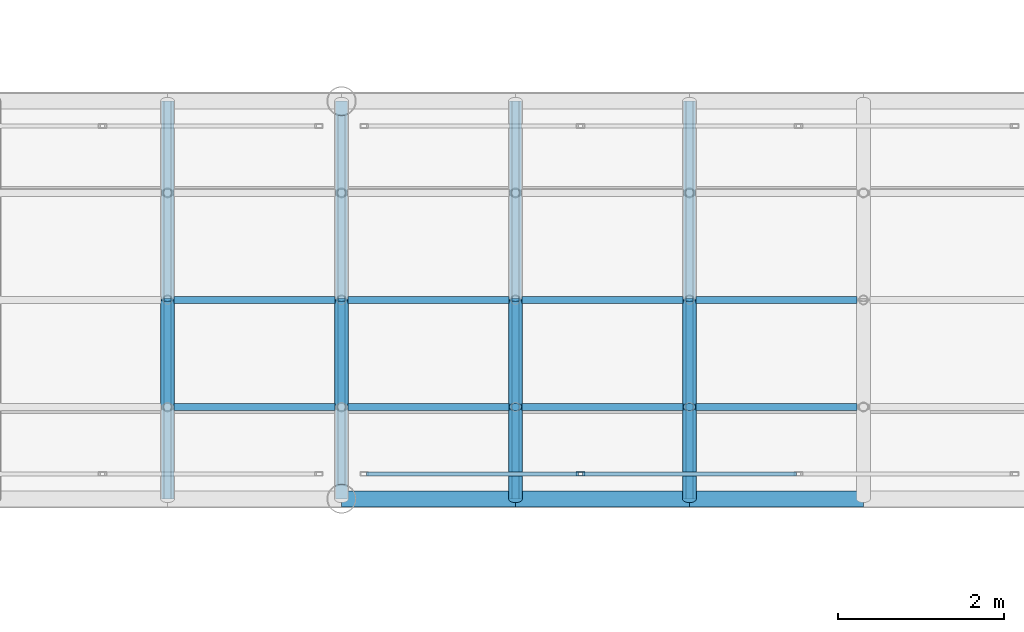
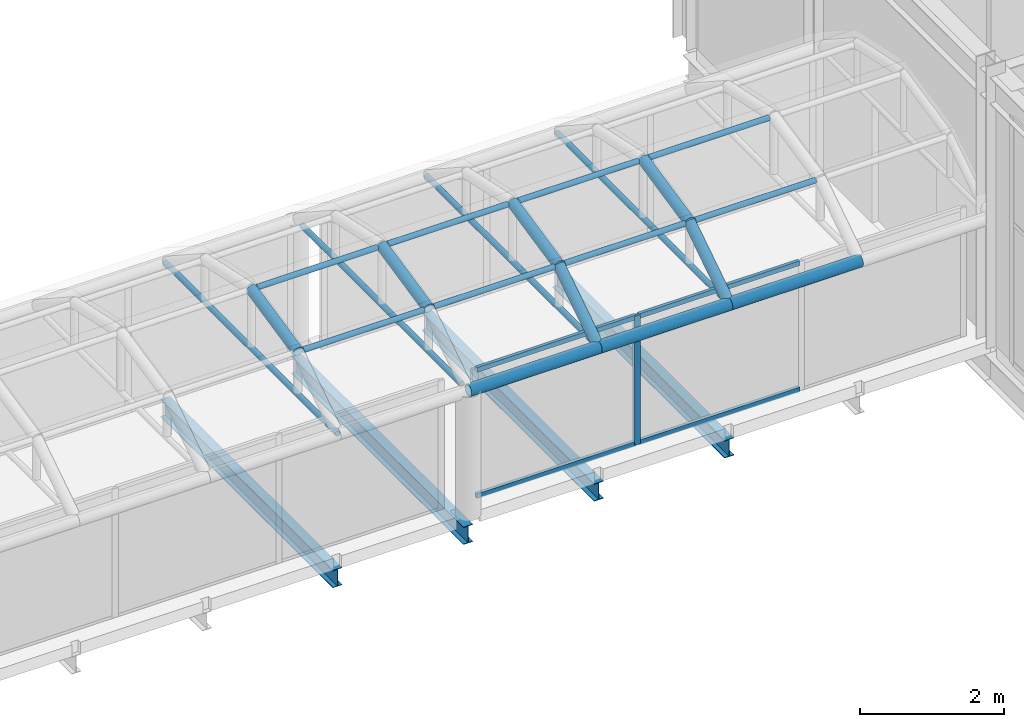
# One storey, part 40 of 167: 22 members, 8 beams, 1 element without a shape of its own.
"""IFC4 building model written with IfcOpenShell, lengths in metres."""

from ifc_helpers import new_model, si_unit, direction, frame, origin, origin_2d, place, context, subcontext, project, spatial, hollow_rectangle, hollow_circle, i_section, extrude, material, material_profile, profile_set, type_object, element, aggregate, save


model = new_model("IFC4")

# Units and contexts
model_context = context("Model", 3, precision=1e-05, world=origin(), true_north=direction((0.0, 1.0)))
body_context = subcontext(model_context, "Body", "Model", "MODEL_VIEW")
ifc_project = project(units=[si_unit("LENGTHUNIT", "METRE"), si_unit("AREAUNIT", "SQUARE_METRE"), si_unit("VOLUMEUNIT", "CUBIC_METRE"), si_unit("PLANEANGLEUNIT", "RADIAN"), si_unit("MASSUNIT", "GRAM", prefix="KILO")], contexts=[model_context])

# Site, building, storey
site_placement = place(None, origin())
site = spatial("IfcSite", under=ifc_project, at=site_placement, CompositionType="ELEMENT")
building_placement = place(site_placement, origin())
building = spatial("IfcBuilding", under=site, at=building_placement, Name="Catenary Quay Ferry Terminal", CompositionType="ELEMENT")
storey_placement = place(building_placement, frame((0.0, 0.0, 6.0)))
storey = spatial("IfcBuildingStorey", under=building, at=storey_placement, Name="L01", CompositionType="ELEMENT", Elevation=6.0)

# Beams
ifc_material_1 = material(Name="Steel S355", Category="steel")
ifc_material_profile_1 = material_profile(ifc_material_1, i_section(OverallWidth=0.14990234375, OverallDepth=0.300048828125, WebThickness=0.007080078125, FlangeThickness=0.0107421875, at=origin_2d()), Name="IPE 300")
ifc_profile_set_1 = profile_set([ifc_material_profile_1], Name="Steel S355")
beam_type_1 = type_object("IfcBeamType", Name="B2 IPE 300", PredefinedType="BEAM", material=ifc_profile_set_1)
for number, where, z_axis, x_axis, name in (
    (1, (115.5, 73.199951171875, -0.35009765625), (0.0, 1.0, 0.0), (-1.0, 0.0, 0.0), "Beam B2-011"),
    (2, (117.60009765625, 73.199951171875, -0.35009765625), (0.0, 1.0, 0.0), (-1.0, 0.0, 0.0), "Beam B2-012"),
    (3, (119.699951171875, 73.199951171875, -0.35009765625), (0.0, 1.0, 0.0), (-1.0, 0.0, 0.0), "Beam B2-013"),
    (4, (121.800048828125, 73.199951171875, -0.35009765625), (0.0, 1.0, 0.0), (-1.0, 0.0, 0.0), "Beam B2-014"),
):
    element("IfcBeam", number, at=place(storey_placement, frame(where, z_axis=z_axis, x_axis=x_axis)), inside=storey, type_object=beam_type_1, Name=name, PredefinedType="BEAM", context=body_context, shape_type="SweptSolid", body=[
        extrude(i_section(OverallWidth=0.14990234375, OverallDepth=0.300048828125, WebThickness=0.007080078125, FlangeThickness=0.0107421875, at=origin_2d()), origin(), (0.0, 0.0, 1.0), 4.800048828125),
    ])

# Curtain wall, member
ifc_material_2 = material(Name="Aluminium and glass", Category="aluminium")
curtain_wall_type = type_object("IfcCurtainWallType", Name="CWB", PredefinedType="NOTDEFINED", material=ifc_material_2)
curtain_wall_placement = place(storey_placement, origin())
curtain_wall = element("IfcCurtainWall", 5, at=curtain_wall_placement, inside=storey, type_object=curtain_wall_type, Name="BB1 curtain wall CW59", PredefinedType="NOTDEFINED")
ifc_material_3 = material(Name="Aluminium", Category="aluminium")
ifc_material_profile_2 = material_profile(ifc_material_3, hollow_rectangle(XDim=0.050048828125, YDim=0.10009765625, WallThickness=0.0048828125, at=origin_2d()), Name="MU1")
ifc_profile_set_2 = profile_set([ifc_material_profile_2], Name="Aluminium")
member_type_1 = type_object("IfcMemberType", Name="MU1", PredefinedType="MULLION", material=ifc_profile_set_2)
member_1_placement = place(storey_placement, frame((120.4833984375, 73.5, 0.0), z_axis=(0.0, 0.0, 1.0), x_axis=(0.0, 1.0, 0.0)))
member_1 = element("IfcMember", 6, at=member_1_placement, type_object=member_type_1, Name="CW59 mullion 2", PredefinedType="MULLION", context=body_context, shape_type="SweptSolid", body=[
    extrude(hollow_rectangle(XDim=0.050048828125, YDim=0.10009765625, WallThickness=0.0048828125, at=origin_2d()), origin(), (0.0, 0.0, 1.0), 2.195068359375),
])

# Members
ifc_material_4 = material(Name="Steel S355", Category="steel")
ifc_material_profile_3 = material_profile(ifc_material_4, hollow_circle(Radius=0.04443359375, WallThickness=0.0048828125, at=origin_2d()), Name="CHS 88.9x5")
ifc_profile_set_3 = profile_set([ifc_material_profile_3], Name="Steel S355")
member_type_2 = type_object("IfcMemberType", Name="PU3 CHS 88.9x5", PredefinedType="PURLIN", material=ifc_profile_set_3)
for number, where, z_axis, x_axis, name in (
    (7, (115.580078125, 74.30810546875, 2.821044921875), (1.0, 0.0, 0.0), (0.0, 1.0, 0.0), "Purlin PU-RB1-12-01"),
    (8, (115.580078125, 75.60009765625, 3.10009765625), (1.0, 0.0, 0.0), (0.0, 1.0, 0.0), "Purlin PU-RB1-12-02"),
):
    element("IfcMember", number, at=place(storey_placement, frame(where, z_axis=z_axis, x_axis=x_axis)), inside=storey, type_object=member_type_2, Name=name, PredefinedType="PURLIN", context=body_context, shape_type="SweptSolid", body=[
        extrude(hollow_circle(Radius=0.04443359375, WallThickness=0.0048828125, at=origin_2d()), origin(), (0.0, 0.0, 1.0), 1.93994140625),
    ])
for number, where, z_axis, x_axis, name in (
    (9, (117.679931640625, 74.30810546875, 2.821044921875), (1.0, 0.0, 0.0), (0.0, 1.0, 0.0), "Purlin PU-RB1-13-01"),
    (10, (117.679931640625, 75.60009765625, 3.10009765625), (1.0, 0.0, 0.0), (0.0, 1.0, 0.0), "Purlin PU-RB1-13-02"),
):
    element("IfcMember", number, at=place(storey_placement, frame(where, z_axis=z_axis, x_axis=x_axis)), inside=storey, type_object=member_type_2, Name=name, PredefinedType="PURLIN", context=body_context, shape_type="SweptSolid", body=[
        extrude(hollow_circle(Radius=0.04443359375, WallThickness=0.0048828125, at=origin_2d()), origin(), (0.0, 0.0, 1.0), 1.940185546875),
    ])
for number, where, z_axis, x_axis, name in (
    (11, (119.780029296875, 74.30810546875, 2.821044921875), (1.0, 0.0, 0.0), (0.0, 1.0, 0.0), "Purlin PU-RB1-14-01"),
    (12, (119.780029296875, 75.60009765625, 3.10009765625), (1.0, 0.0, 0.0), (0.0, 1.0, 0.0), "Purlin PU-RB1-14-02"),
):
    element("IfcMember", number, at=place(storey_placement, frame(where, z_axis=z_axis, x_axis=x_axis)), inside=storey, type_object=member_type_2, Name=name, PredefinedType="PURLIN", context=body_context, shape_type="SweptSolid", body=[
        extrude(hollow_circle(Radius=0.04443359375, WallThickness=0.0048828125, at=origin_2d()), origin(), (0.0, 0.0, 1.0), 1.93994140625),
    ])
for number, where, z_axis, x_axis, name in (
    (13, (121.8798828125, 74.30810546875, 2.821044921875), (1.0, 0.0, 0.0), (0.0, 1.0, 0.0), "Purlin PU-RB1-15-01"),
    (14, (121.8798828125, 75.60009765625, 3.10009765625), (1.0, 0.0, 0.0), (0.0, 1.0, 0.0), "Purlin PU-RB1-15-02"),
):
    element("IfcMember", number, at=place(storey_placement, frame(where, z_axis=z_axis, x_axis=x_axis)), inside=storey, type_object=member_type_2, Name=name, PredefinedType="PURLIN", context=body_context, shape_type="SweptSolid", body=[
        extrude(hollow_circle(Radius=0.04443359375, WallThickness=0.0048828125, at=origin_2d()), origin(), (0.0, 0.0, 1.0), 1.940185546875),
    ])

# Beams
ifc_material_5 = material(Name="Steel S355", Category="steel")
ifc_material_profile_4 = material_profile(ifc_material_5, hollow_circle(Radius=0.04443359375, WallThickness=0.0048828125, at=origin_2d()), Name="CHS 88.9x5")
ifc_profile_set_4 = profile_set([ifc_material_profile_4], Name="Steel S355")
beam_type_2 = type_object("IfcBeamType", Name="TB4 CHS 88.9x5", PredefinedType="BEAM", material=ifc_profile_set_4)
beam_1_placement = place(storey_placement, frame((115.5, 73.199951171875, 2.10009765625), z_axis=(0.0, 1.0, 0.0), x_axis=(-1.0, 0.0, 0.0)))
element("IfcBeam", 15, at=beam_1_placement, inside=storey, type_object=beam_type_2, Name="tie beam RB1-12", PredefinedType="BEAM", context=body_context, shape_type="SweptSolid", body=[
    extrude(hollow_circle(Radius=0.04443359375, WallThickness=0.0048828125, at=origin_2d()), origin(), (0.0, 0.0, 1.0), 4.800048828125),
])
beam_2_placement = place(storey_placement, frame((117.60009765625, 73.3720703125, 2.10009765625), z_axis=(0.0, 1.0, 0.0), x_axis=(-1.0, 0.0, 0.0)))
element("IfcBeam", 16, at=beam_2_placement, inside=storey, type_object=beam_type_2, Name="tie beam RB1-13", PredefinedType="BEAM", context=body_context, shape_type="SweptSolid", body=[
    extrude(hollow_circle(Radius=0.04443359375, WallThickness=0.0048828125, at=origin_2d()), origin(), (0.0, 0.0, 1.0), 4.455810546875),
])
for number, where, z_axis, x_axis, name in (
    (17, (119.699951171875, 73.199951171875, 2.10009765625), (0.0, 1.0, 0.0), (-1.0, 0.0, 0.0), "tie beam RB1-14"),
    (18, (121.800048828125, 73.199951171875, 2.10009765625), (0.0, 1.0, 0.0), (-1.0, 0.0, 0.0), "tie beam RB1-15"),
):
    element("IfcBeam", number, at=place(storey_placement, frame(where, z_axis=z_axis, x_axis=x_axis)), inside=storey, type_object=beam_type_2, Name=name, PredefinedType="BEAM", context=body_context, shape_type="SweptSolid", body=[
        extrude(hollow_circle(Radius=0.04443359375, WallThickness=0.0048828125, at=origin_2d()), origin(), (0.0, 0.0, 1.0), 4.800048828125),
    ])

# Members
ifc_material_6 = material(Name="Steel S355", Category="steel")
ifc_material_profile_5 = material_profile(ifc_material_6, hollow_circle(Radius=0.096923828125, WallThickness=0.010009765625, at=origin_2d()), Name="CHS 193.7x10")
ifc_profile_set_5 = profile_set([ifc_material_profile_5], Name="Steel S355")
member_type_3 = type_object("IfcMemberType", Name="TC2 CHS 193.7x10", PredefinedType="CHORD", material=ifc_profile_set_5)
member_2_placement = place(storey_placement, frame((117.60009765625, 73.199951171875, 2.10009765625), z_axis=(1.0, 0.0, 0.0), x_axis=(0.0, 1.0, 0.0)))
element("IfcMember", 19, at=member_2_placement, inside=storey, type_object=member_type_3, Name="Bridge top chord BB1S-TC13", PredefinedType="CHORD", context=body_context, shape_type="SweptSolid", body=[
    extrude(hollow_circle(Radius=0.096923828125, WallThickness=0.010009765625, at=origin_2d()), origin(), (0.0, 0.0, 1.0), 2.099853515625),
])
member_3_placement = place(storey_placement, frame((119.699951171875, 73.199951171875, 2.10009765625), z_axis=(1.0, 0.0, 0.0), x_axis=(0.0, 1.0, 0.0)))
element("IfcMember", 20, at=member_3_placement, inside=storey, type_object=member_type_3, Name="Bridge top chord BB1S-TC14", PredefinedType="CHORD", context=body_context, shape_type="SweptSolid", body=[
    extrude(hollow_circle(Radius=0.096923828125, WallThickness=0.010009765625, at=origin_2d()), origin(), (0.0, 0.0, 1.0), 2.10009765625),
])
member_4_placement = place(storey_placement, frame((121.800048828125, 73.199951171875, 2.10009765625), z_axis=(1.0, 0.0, 0.0), x_axis=(0.0, 1.0, 0.0)))
element("IfcMember", 21, at=member_4_placement, inside=storey, type_object=member_type_3, Name="Bridge top chord BB1S-TC15", PredefinedType="CHORD", context=body_context, shape_type="SweptSolid", body=[
    extrude(hollow_circle(Radius=0.096923828125, WallThickness=0.010009765625, at=origin_2d()), origin(), (0.0, 0.0, 1.0), 2.099853515625),
])

# Member
ifc_material_7 = material(Name="Aluminium", Category="aluminium")
ifc_material_profile_6 = material_profile(ifc_material_7, hollow_rectangle(XDim=0.050048828125, YDim=0.080078125, WallThickness=0.00390625, at=origin_2d()), Name="TR1")
ifc_profile_set_6 = profile_set([ifc_material_profile_6], Name="Aluminium")
member_type_4 = type_object("IfcMemberType", Name="TR1", PredefinedType="USERDEFINED", material=ifc_profile_set_6)
member_5_placement = place(storey_placement, frame((117.89990234375, 73.5, 0.02490234375), z_axis=(1.0, 0.0, 0.0), x_axis=(0.0, 1.0, 0.0)))
member_5 = element("IfcMember", 22, at=member_5_placement, type_object=member_type_4, Name="CW59 transom 1.1", ObjectType="TRANSOM", PredefinedType="USERDEFINED", context=body_context, shape_type="SweptSolid", body=[
    extrude(hollow_rectangle(XDim=0.050048828125, YDim=0.080078125, WallThickness=0.00390625, at=origin_2d()), origin(), (0.0, 0.0, 1.0), 2.558349609375),
])

member_6_placement = place(storey_placement, frame((117.89990234375, 73.5, 2.169921875), z_axis=(1.0, 0.0, 0.0), x_axis=(0.0, 1.0, 0.0)))
member_6 = element("IfcMember", 23, at=member_6_placement, type_object=member_type_4, Name="CW59 transom 1.2", ObjectType="TRANSOM", PredefinedType="USERDEFINED", context=body_context, shape_type="SweptSolid", body=[
    extrude(hollow_rectangle(XDim=0.050048828125, YDim=0.080078125, WallThickness=0.00390625, at=origin_2d()), origin(), (0.0, 0.0, 1.0), 2.558349609375),
])

member_7_placement = place(storey_placement, frame((120.50830078125, 73.5, 0.02490234375), z_axis=(1.0, 0.0, 0.0), x_axis=(0.0, 1.0, 0.0)))
member_7 = element("IfcMember", 24, at=member_7_placement, type_object=member_type_4, Name="CW59 transom 2.1", ObjectType="TRANSOM", PredefinedType="USERDEFINED", context=body_context, shape_type="SweptSolid", body=[
    extrude(hollow_rectangle(XDim=0.050048828125, YDim=0.080078125, WallThickness=0.00390625, at=origin_2d()), origin(), (0.0, 0.0, 1.0), 2.583251953125),
])

member_8_placement = place(storey_placement, frame((120.50830078125, 73.5, 2.169921875), z_axis=(1.0, 0.0, 0.0), x_axis=(0.0, 1.0, 0.0)))
member_8 = element("IfcMember", 25, at=member_8_placement, type_object=member_type_4, Name="CW59 transom 2.2", ObjectType="TRANSOM", PredefinedType="USERDEFINED", context=body_context, shape_type="SweptSolid", body=[
    extrude(hollow_rectangle(XDim=0.050048828125, YDim=0.080078125, WallThickness=0.00390625, at=origin_2d()), origin(), (0.0, 0.0, 1.0), 2.583251953125),
])

aggregate(curtain_wall, [member_1, member_5, member_6, member_7, member_8])

# Members
ifc_material_8 = material(Name="Steel S355", Category="steel")
ifc_material_profile_7 = material_profile(ifc_material_8, hollow_circle(Radius=0.084228515625, WallThickness=0.008056640625, at=origin_2d()), Name="CHS 168.3x8")
ifc_profile_set_7 = profile_set([ifc_material_profile_7], Name="Steel S355")
member_type_5 = type_object("IfcMemberType", Name="VR4 CHS 168.3x8", PredefinedType="RAFTER", material=ifc_profile_set_7)
for number, where, z_axis, x_axis, name in (
    (26, (115.5, 74.30810546875, 2.821044921875), (0.0, 0.977460543774, 0.211118178672), (-1.0, 0.0, 0.0), "rib RB1-12-02"),
    (27, (117.60009765625, 74.30810546875, 2.821044921875), (0.0, 0.977460543774, 0.211118178672), (-1.0, 0.0, 0.0), "rib RB1-13-02"),
):
    element("IfcMember", number, at=place(storey_placement, frame(where, z_axis=z_axis, x_axis=x_axis)), inside=storey, type_object=member_type_5, Name=name, PredefinedType="RAFTER", context=body_context, shape_type="SweptSolid", body=[
        extrude(hollow_circle(Radius=0.084228515625, WallThickness=0.008056640625, at=origin_2d()), origin(), (0.0, 0.0, 1.0), 1.32177734375),
    ])
member_9_placement = place(storey_placement, frame((119.699951171875, 73.199951171875, 2.10009765625), z_axis=(0.0, 0.838219928753, 0.545332330823), x_axis=(-1.0, 0.0, 0.0)))
element("IfcMember", 28, at=member_9_placement, inside=storey, type_object=member_type_5, Name="rib RB1-14-01", PredefinedType="RAFTER", context=body_context, shape_type="SweptSolid", body=[
    extrude(hollow_circle(Radius=0.084228515625, WallThickness=0.008056640625, at=origin_2d()), origin(), (0.0, 0.0, 1.0), 1.322021484375),
])
member_10_placement = place(storey_placement, frame((119.699951171875, 74.30810546875, 2.821044921875), z_axis=(0.0, 0.977460543774, 0.211118178672), x_axis=(-1.0, 0.0, 0.0)))
element("IfcMember", 29, at=member_10_placement, inside=storey, type_object=member_type_5, Name="rib RB1-14-02", PredefinedType="RAFTER", context=body_context, shape_type="SweptSolid", body=[
    extrude(hollow_circle(Radius=0.084228515625, WallThickness=0.008056640625, at=origin_2d()), origin(), (0.0, 0.0, 1.0), 1.32177734375),
])
member_11_placement = place(storey_placement, frame((121.800048828125, 73.199951171875, 2.10009765625), z_axis=(0.0, 0.838219928753, 0.545332330823), x_axis=(-1.0, 0.0, 0.0)))
element("IfcMember", 30, at=member_11_placement, inside=storey, type_object=member_type_5, Name="rib RB1-15-01", PredefinedType="RAFTER", context=body_context, shape_type="SweptSolid", body=[
    extrude(hollow_circle(Radius=0.084228515625, WallThickness=0.008056640625, at=origin_2d()), origin(), (0.0, 0.0, 1.0), 1.322021484375),
])
member_12_placement = place(storey_placement, frame((121.800048828125, 74.30810546875, 2.821044921875), z_axis=(0.0, 0.977460543774, 0.211118178672), x_axis=(-1.0, 0.0, 0.0)))
element("IfcMember", 31, at=member_12_placement, inside=storey, type_object=member_type_5, Name="rib RB1-15-02", PredefinedType="RAFTER", context=body_context, shape_type="SweptSolid", body=[
    extrude(hollow_circle(Radius=0.084228515625, WallThickness=0.008056640625, at=origin_2d()), origin(), (0.0, 0.0, 1.0), 1.32177734375),
])

save(model, "model.ifc")
